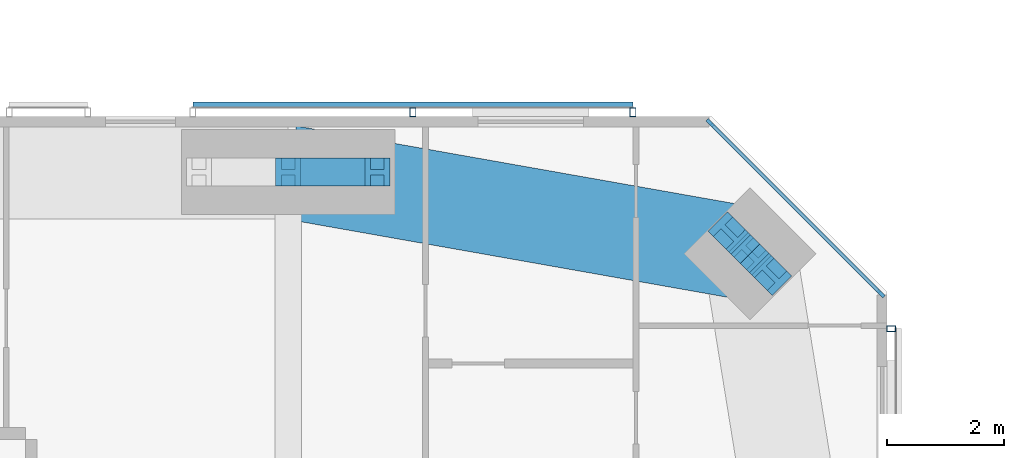
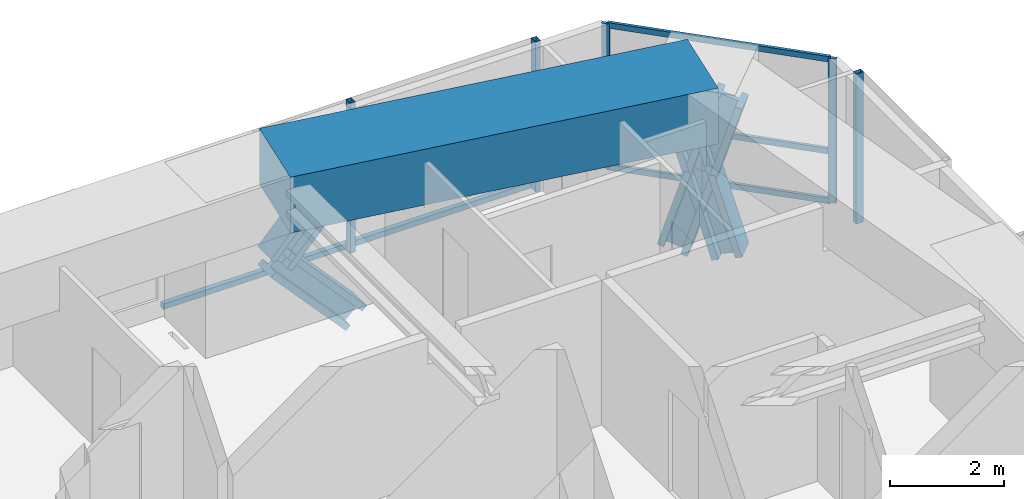
# One storey, part 14 of 23: 15 members, 1 beam, 3 elements without a shape of their own.
"""IFC4 building model written with IfcOpenShell, lengths in metres."""

from ifc_helpers import new_model, si_unit, direction, frame, origin, origin_2d, place, context, subcontext, project, spatial, rectangle, hollow_rectangle, i_section, extrude, material, material_profile, profile_set, type_object, element, aggregate, save


model = new_model("IFC4")

# Units and contexts
model_context = context("Model", 3, precision=1e-05, world=origin(), true_north=direction((0.0, 1.0)))
body_context = subcontext(model_context, "Body", "Model", "MODEL_VIEW")
ifc_project = project(units=[si_unit("LENGTHUNIT", "METRE"), si_unit("AREAUNIT", "SQUARE_METRE"), si_unit("VOLUMEUNIT", "CUBIC_METRE"), si_unit("PLANEANGLEUNIT", "RADIAN"), si_unit("MASSUNIT", "GRAM", prefix="KILO")], contexts=[model_context])

# Site, building, storey
site_placement = place(None, origin())
site = spatial("IfcSite", under=ifc_project, at=site_placement, CompositionType="ELEMENT")
building_placement = place(site_placement, origin())
building = spatial("IfcBuilding", under=site, at=building_placement, Name="Jalousie Tower", CompositionType="ELEMENT")
storey_placement = place(building_placement, frame((0.0, 0.0, 181.14990234375)))
storey = spatial("IfcBuildingStorey", under=building, at=storey_placement, Name="L49", CompositionType="ELEMENT", Elevation=181.14990234375)

# Curtain wall, members
ifc_material_1 = material(Name="Aluminium curtain wall", Category="aluminium")
curtain_wall_type_1 = type_object("IfcCurtainWallType", Name="CORNER WINDOW WALL", PredefinedType="USERDEFINED", material=ifc_material_1)
curtain_wall_1_placement = place(storey_placement, origin())
curtain_wall_1 = element("IfcCurtainWall", 1, at=curtain_wall_1_placement, inside=storey, type_object=curtain_wall_type_1, Name="Corner Window Wall L49 4", ObjectType="CORNER WINDOW WALL", PredefinedType="USERDEFINED")
ifc_material_2 = material(Name="Aluminium mullion", Category="aluminium")
ifc_material_profile_1 = material_profile(ifc_material_2, rectangle(XDim=0.06005859375, YDim=0.14990234375, at=origin_2d()), Name="MULLION 60x150")
ifc_profile_set_1 = profile_set([ifc_material_profile_1], Name="Aluminium mullion")
member_type_1 = type_object("IfcMemberType", Name="CORNER WINDOW WALL MULLION", PredefinedType="MULLION", material=ifc_profile_set_1)
member_1_placement = place(storey_placement, frame((52.891357421875, 32.969970703125, 0.0), z_axis=(0.0, 0.0, 1.0), x_axis=(-0.707106781187, -0.707106781187, 0.0)))
member_1 = element("IfcMember", 2, at=member_1_placement, type_object=member_type_1, Name="CW-C mullion 1", PredefinedType="MULLION", context=body_context, shape_type="SweptSolid", body=[
    extrude(rectangle(XDim=0.06005859375, YDim=0.14990234375, at=origin_2d()), origin(), (0.0, 0.0, 1.0), 3.110107421875),
])
member_2_placement = place(storey_placement, frame((49.969970703125, 35.891357421875, 0.0), z_axis=(0.0, 0.0, 1.0), x_axis=(-0.707106781187, -0.707106781187, 0.0)))
member_2 = element("IfcMember", 3, at=member_2_placement, type_object=member_type_1, Name="CW-C mullion 2", PredefinedType="MULLION", context=body_context, shape_type="SweptSolid", body=[
    extrude(rectangle(XDim=0.06005859375, YDim=0.14990234375, at=origin_2d()), origin(), (0.0, 0.0, 1.0), 3.110107421875),
])
ifc_material_3 = material(Name="Aluminium transom", Category="aluminium")
ifc_material_profile_2 = material_profile(ifc_material_3, rectangle(XDim=0.06005859375, YDim=0.1201171875, at=origin_2d()), Name="TRANSOM 60x120")
ifc_profile_set_2 = profile_set([ifc_material_profile_2], Name="Aluminium transom")
member_type_2 = type_object("IfcMemberType", Name="CORNER WINDOW WALL TRANSOM", PredefinedType="USERDEFINED", material=ifc_profile_set_2)
member_3_placement = place(storey_placement, frame((52.8701171875, 32.9912109375, 0.030029296875), z_axis=(-0.707106781187, 0.707106781187, 0.0), x_axis=(-0.707106781187, -0.707106781187, 0.0)))
member_3 = element("IfcMember", 4, at=member_3_placement, type_object=member_type_2, Name="CW-C transom 1.1", ObjectType="TRANSOM", PredefinedType="USERDEFINED", context=body_context, shape_type="SweptSolid", body=[
    extrude(rectangle(XDim=0.06005859375, YDim=0.1201171875, at=origin_2d()), origin(), (0.0, 0.0, 1.0), 4.0712890625),
])
member_4_placement = place(storey_placement, frame((52.8701171875, 32.9912109375, 1.10009765625), z_axis=(-0.707106781187, 0.707106781187, 0.0), x_axis=(-0.707106781187, -0.707106781187, 0.0)))
member_4 = element("IfcMember", 5, at=member_4_placement, type_object=member_type_2, Name="CW-C transom 1.2", ObjectType="TRANSOM", PredefinedType="USERDEFINED", context=body_context, shape_type="SweptSolid", body=[
    extrude(rectangle(XDim=0.06005859375, YDim=0.1201171875, at=origin_2d()), origin(), (0.0, 0.0, 1.0), 4.0712890625),
])
member_5_placement = place(storey_placement, frame((52.8701171875, 32.9912109375, 3.080078125), z_axis=(-0.707106781187, 0.707106781187, 0.0), x_axis=(-0.707106781187, -0.707106781187, 0.0)))
member_5 = element("IfcMember", 6, at=member_5_placement, type_object=member_type_2, Name="CW-C transom 1.3", ObjectType="TRANSOM", PredefinedType="USERDEFINED", context=body_context, shape_type="SweptSolid", body=[
    extrude(rectangle(XDim=0.06005859375, YDim=0.1201171875, at=origin_2d()), origin(), (0.0, 0.0, 1.0), 4.0712890625),
])
aggregate(curtain_wall_1, [member_1, member_2, member_3, member_4, member_5])

# Members
ifc_material_4 = material(Name="Steel ASTM A992 Grade 50", Category="steel")
ifc_material_profile_3 = material_profile(ifc_material_4, i_section(OverallWidth=0.472412109375, OverallDepth=0.5791015625, WebThickness=0.094970703125, FlangeThickness=0.1298828125, at=origin_2d()), Name="W14X808")
ifc_profile_set_3 = profile_set([ifc_material_profile_3], Name="Steel ASTM A992 Grade 50")
member_type_3 = type_object("IfcMemberType", Name="PERIMETER BRACE W14X808", PredefinedType="BRACE", material=ifc_profile_set_3)
member_6_placement = place(storey_placement, frame((51.0048828125, 33.2978515625, -0.599853515625), z_axis=(-0.202092742837, 0.202372069365, 0.958229653493), x_axis=(-0.707594945859, -0.706618279267, 0.0)))
element("IfcMember", 7, at=member_6_placement, inside=storey, type_object=member_type_3, Name="Perimeter brace 08 L49 part 1", PredefinedType="BRACE", context=body_context, shape_type="SweptSolid", body=[
    extrude(i_section(OverallWidth=0.472412109375, OverallDepth=0.5791015625, WebThickness=0.094970703125, FlangeThickness=0.1298828125, at=origin_2d()), origin(), (0.0, 0.0, 1.0), 1.748046875),
])
member_7_placement = place(storey_placement, frame((50.651611328125, 33.651611328125, 1.0751953125), z_axis=(-0.202399156177, 0.202119792263, 0.958218227313), x_axis=(-0.706618279267, -0.707594945859, 0.0)))
element("IfcMember", 8, at=member_7_placement, inside=storey, type_object=member_type_3, Name="Perimeter brace 08 L49 part 2", PredefinedType="BRACE", context=body_context, shape_type="SweptSolid", body=[
    extrude(i_section(OverallWidth=0.472412109375, OverallDepth=0.5791015625, WebThickness=0.094970703125, FlangeThickness=0.1298828125, at=origin_2d()), origin(), (0.0, 0.0, 1.0), 1.747802734375),
])
member_8_placement = place(storey_placement, frame((50.2978515625, 34.0048828125, -0.599853515625), z_axis=(0.202372069365, -0.202092742837, 0.958229653493), x_axis=(0.706618279267, 0.707594945859, 0.0)))
element("IfcMember", 9, at=member_8_placement, inside=storey, type_object=member_type_3, Name="Perimeter brace 08 L49 part 3", PredefinedType="BRACE", context=body_context, shape_type="SweptSolid", body=[
    extrude(i_section(OverallWidth=0.472412109375, OverallDepth=0.5791015625, WebThickness=0.094970703125, FlangeThickness=0.1298828125, at=origin_2d()), origin(), (0.0, 0.0, 1.0), 1.748046875),
])
member_9_placement = place(storey_placement, frame((50.651611328125, 33.651611328125, 1.0751953125), z_axis=(0.202119792263, -0.202399156177, 0.958218227313), x_axis=(0.707594945859, 0.706618279267, 0.0)))
element("IfcMember", 10, at=member_9_placement, inside=storey, type_object=member_type_3, Name="Perimeter brace 08 L49 part 4", PredefinedType="BRACE", context=body_context, shape_type="SweptSolid", body=[
    extrude(i_section(OverallWidth=0.472412109375, OverallDepth=0.5791015625, WebThickness=0.094970703125, FlangeThickness=0.1298828125, at=origin_2d()), origin(), (0.0, 0.0, 1.0), 1.747802734375),
])
for number, where, z_axis, x_axis, name in (
    (11, (42.75, 35.050048828125, 1.0751953125), (0.673241284601, 0.0, 0.739422864611), (0.0, 1.0, 0.0), "Perimeter brace 09 L49 part 2"),
    (12, (44.27490234375, 35.050048828125, -0.599853515625), (-0.673187629365, 0.0, 0.739471713908), (0.0, -1.0, 0.0), "Perimeter brace 09 L49 part 3"),
):
    element("IfcMember", number, at=place(storey_placement, frame(where, z_axis=z_axis, x_axis=x_axis)), inside=storey, type_object=member_type_3, Name=name, PredefinedType="BRACE", context=body_context, shape_type="SweptSolid", body=[
        extrude(i_section(OverallWidth=0.472412109375, OverallDepth=0.5791015625, WebThickness=0.094970703125, FlangeThickness=0.1298828125, at=origin_2d()), origin(), (0.0, 0.0, 1.0), 2.26513671875),
    ])

# Beam
ifc_material_5 = material(Name="Concrete f'c 40 MPa", Category="concrete")
ifc_material_profile_4 = material_profile(ifc_material_5, rectangle(XDim=1.60009765625, YDim=1.199951171875, at=origin_2d()), Name="RC 1600x1200")
ifc_profile_set_4 = profile_set([ifc_material_profile_4], Name="Concrete f'c 40 MPa")
beam_type = type_object("IfcBeamType", Name="RC BEAM 1600x1200", PredefinedType="BEAM", material=ifc_profile_set_4)
beam_placement = place(storey_placement, frame((50.651611328125, 33.651611328125, 2.75), z_axis=(-0.984697370688, 0.174273027632, 0.0), x_axis=(-0.174273027632, -0.984697370688, 0.0)))
element("IfcBeam", 13, at=beam_placement, inside=storey, type_object=beam_type, Name="Edge band beam 08-09 under L50", PredefinedType="BEAM", context=body_context, shape_type="SweptSolid", body=[
    extrude(rectangle(XDim=1.60009765625, YDim=1.199951171875, at=origin_2d()), origin(), (0.0, 0.0, 1.0), 8.0244140625),
])

# Curtain wall, member
ifc_material_6 = material(Name="Perforated aluminium sheet", Category="aluminium")
curtain_wall_type_2 = type_object("IfcCurtainWallType", Name="SOLAR SCREEN SS-1", PredefinedType="USERDEFINED", material=ifc_material_6)
curtain_wall_2_placement = place(storey_placement, origin())
curtain_wall_2 = element("IfcCurtainWall", 14, at=curtain_wall_2_placement, inside=storey, type_object=curtain_wall_type_2, Name="Solar screen L49", ObjectType="SOLAR SCREEN SS-1", PredefinedType="USERDEFINED")
ifc_material_7 = material(Name="Steel ASTM A500 Grade C", Category="steel")
ifc_material_profile_5 = material_profile(ifc_material_7, hollow_rectangle(XDim=0.1015625, YDim=0.15234375, WallThickness=0.00634765625, at=origin_2d()), Name="HSS6X4X1/4")
ifc_profile_set_5 = profile_set([ifc_material_profile_5], Name="Steel ASTM A500 Grade C")
member_type_4 = type_object("IfcMemberType", Name="SOLAR SCREEN SS-1 MULLION", PredefinedType="MULLION", material=ifc_profile_set_5)
member_10_placement = place(storey_placement, frame((53.0712890625, 32.3701171875, -0.119873046875), z_axis=(0.0, 0.0, 1.0), x_axis=(0.0, 1.0, 0.0)))
member_10 = element("IfcMember", 15, at=member_10_placement, type_object=member_type_4, Name="SS1 post 2", PredefinedType="MULLION", context=body_context, shape_type="SweptSolid", body=[
    extrude(hollow_rectangle(XDim=0.1015625, YDim=0.15234375, WallThickness=0.00634765625, at=origin_2d()), origin(), (0.0, 0.0, 1.0), 3.22998046875),
])
aggregate(curtain_wall_2, [member_10])

# Curtain wall, members
curtain_wall_3_placement = place(storey_placement, origin())
curtain_wall_3 = element("IfcCurtainWall", 16, at=curtain_wall_3_placement, inside=storey, type_object=curtain_wall_type_2, Name="Solar screen L49", ObjectType="SOLAR SCREEN SS-1", PredefinedType="USERDEFINED")
member_11_placement = place(storey_placement, frame((48.64990234375, 36.0712890625, -0.119873046875), z_axis=(0.0, 0.0, 1.0), x_axis=(-1.0, 0.0, 0.0)))
member_11 = element("IfcMember", 17, at=member_11_placement, type_object=member_type_4, Name="SS1 post 1", PredefinedType="MULLION", context=body_context, shape_type="SweptSolid", body=[
    extrude(hollow_rectangle(XDim=0.1015625, YDim=0.15234375, WallThickness=0.00634765625, at=origin_2d()), origin(), (0.0, 0.0, 1.0), 3.22998046875),
])
member_12_placement = place(storey_placement, frame((44.88427734375, 36.0712890625, -0.119873046875), z_axis=(0.0, 0.0, 1.0), x_axis=(-1.0, 0.0, 0.0)))
member_12 = element("IfcMember", 18, at=member_12_placement, type_object=member_type_4, Name="SS1 post 2", PredefinedType="MULLION", context=body_context, shape_type="SweptSolid", body=[
    extrude(hollow_rectangle(XDim=0.1015625, YDim=0.15234375, WallThickness=0.00634765625, at=origin_2d()), origin(), (0.0, 0.0, 1.0), 3.22998046875),
])
ifc_material_8 = material(Name="Extruded aluminium screen rail", Category="aluminium")
ifc_material_profile_6 = material_profile(ifc_material_8, rectangle(XDim=0.1015625, YDim=0.1201171875, at=origin_2d()), Name="RAIL 102x120")
ifc_profile_set_6 = profile_set([ifc_material_profile_6], Name="Extruded aluminium screen rail")
member_type_5 = type_object("IfcMemberType", Name="SOLAR SCREEN SS-1 TRANSOM", PredefinedType="USERDEFINED", material=ifc_profile_set_6)
member_13_placement = place(storey_placement, frame((48.64990234375, 36.1982421875, -0.059814453125), z_axis=(-1.0, 0.0, 0.0), x_axis=(0.0, -1.0, 0.0)))
member_13 = element("IfcMember", 19, at=member_13_placement, type_object=member_type_5, Name="SS1 rail", ObjectType="TRANSOM", PredefinedType="USERDEFINED", context=body_context, shape_type="SweptSolid", body=[
    extrude(rectangle(XDim=0.1015625, YDim=0.1201171875, at=origin_2d()), origin(), (0.0, 0.0, 1.0), 7.53125),
])
aggregate(curtain_wall_3, [member_11, member_12, member_13])

save(model, "model.ifc")
